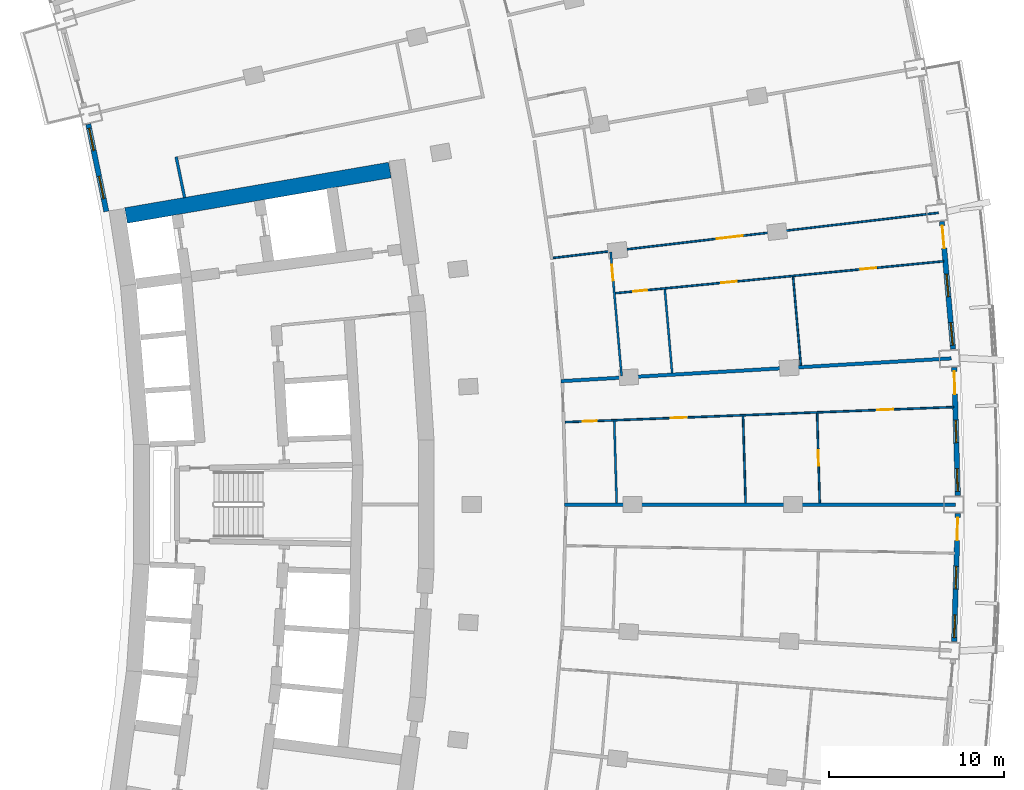
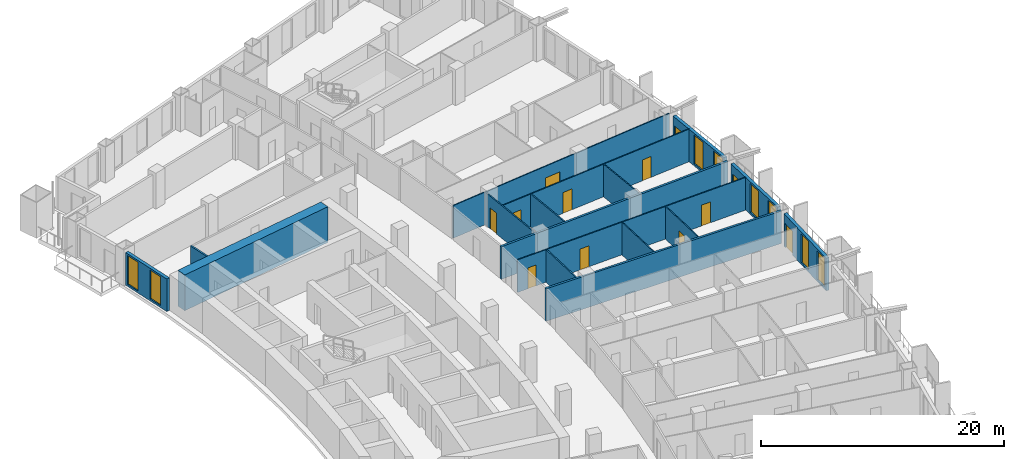
# One storey, part 18 of 25: 17 walls, 12 doors, 8 windows, 20 openings.
"""IFC4 building model written with IfcOpenShell, lengths in metres."""

from ifc_helpers import new_model, si_unit, direction, frame, frame_2d, origin, place, context, subcontext, project, spatial, rectangle, extrude, material, layer, layer_set, type_object, element, fill, save


model = new_model("IFC4")

# Units and contexts
model_context = context("Model", 3, precision=1e-05, world=origin(), true_north=direction((0.0, 1.0)))
body_context = subcontext(model_context, "Body", "Model", "MODEL_VIEW")
ifc_project = project(units=[si_unit("LENGTHUNIT", "METRE"), si_unit("AREAUNIT", "SQUARE_METRE"), si_unit("VOLUMEUNIT", "CUBIC_METRE"), si_unit("PLANEANGLEUNIT", "RADIAN"), si_unit("MASSUNIT", "GRAM", prefix="KILO")], contexts=[model_context])

# Site, building, storey
site_placement = place(None, origin())
site = spatial("IfcSite", under=ifc_project, at=site_placement, CompositionType="ELEMENT")
building_placement = place(site_placement, origin())
building = spatial("IfcBuilding", under=site, at=building_placement, Name="Alderwake Tower", CompositionType="ELEMENT")
storey_placement = place(building_placement, frame((0.0, 0.0, 35.60009765625)))
storey = spatial("IfcBuildingStorey", under=building, at=storey_placement, Name="L07", CompositionType="ELEMENT", Elevation=35.60009765625)

# Walls
ifc_material_1 = material(Name="Concrete C70/85", Category="concrete")
ifc_layer_1 = layer(ifc_material_1, 0.89990234375)
ifc_layer_set_1 = layer_set([ifc_layer_1], Name="Core wall outer 900 C70-85")
wall_type_1 = type_object("IfcWallType", Name="Core wall outer 900 C70-85", PredefinedType="SHEAR", material=ifc_layer_set_1)
wall_1_placement = place(storey_placement, frame((16.005615234375, 77.548828125, 0.0), z_axis=(0.0, 0.0, 1.0), x_axis=(0.985465815888, 0.169873852363, 0.0)))
element("IfcWall", 1, at=wall_1_placement, inside=storey, type_object=wall_type_1, Name="Core wall CW.053", PredefinedType="SHEAR", context=body_context, shape_type="SweptSolid", body=[
    extrude(rectangle(XDim=15.33056640625, YDim=0.89990234375, at=frame_2d((7.665283203125, 0.0))), origin(), (0.0, 0.0, 1.0), 3.599853515625),
])
ifc_material_2 = material(Name="Gypsum board on metal studs, rated")
ifc_layer_2 = layer(ifc_material_2, 0.159912109375)
ifc_layer_set_2 = layer_set([ifc_layer_2], Name="Corridor wall 160")
wall_type_2 = type_object("IfcWallType", Name="Corridor wall 160", PredefinedType="PARTITIONING", material=ifc_layer_set_2)
wall_2_placement = place(storey_placement, frame((18.874755859375, 80.910400390625, 0.0), z_axis=(0.0, 0.0, 1.0), x_axis=(0.202312089075, -0.979321100873, 0.0)))
element("IfcWall", 2, at=wall_2_placement, inside=storey, type_object=wall_type_2, Name="WL/L07/W18", PredefinedType="PARTITIONING", context=body_context, shape_type="SweptSolid", body=[
    extrude(rectangle(XDim=2.39306640625, YDim=0.159912109375, at=frame_2d((1.196533203125, 0.0))), origin(), (0.0, 0.0, 1.0), 3.27978515625),
])

# Wall, openings, door, windows
ifc_material_3 = material(Name="Precast concrete C50/60 spandrel panel", Category="concrete")
ifc_layer_3 = layer(ifc_material_3, 0.300048828125)
ifc_layer_set_3 = layer_set([ifc_layer_3], Name="External wall EW1 Precast concrete C50/60 spandrel")
wall_type_3 = type_object("IfcWallType", Name="External wall EW1 Precast concrete C50/60 spandrel", PredefinedType="SOLIDWALL", material=ifc_layer_set_3)
wall_3_placement = place(storey_placement, frame((63.4208984375, 53.1494140625, 0.0), z_axis=(0.0, 0.0, 1.0), x_axis=(0.029179784763, 0.999574179419, 0.0)))
wall_3 = element("IfcWall", 3, at=wall_3_placement, inside=storey, type_object=wall_type_3, Name="External wall 16", PredefinedType="SOLIDWALL", context=body_context, shape_type="SweptSolid", body=[
    extrude(rectangle(XDim=7.329345703125, YDim=0.300048828125, at=frame_2d((3.66455078125, 0.0))), origin(), (0.0, 0.0, 1.0), 3.27978515625),
])
opening_1_placement = place(wall_3_placement, frame((0.226806640625, 0.0, 0.199951171875)))
opening_1 = element("IfcOpeningElement", 4, at=opening_1_placement, cuts=wall_3, Name="Opening W1", PredefinedType="OPENING", context=body_context, shape_type="SweptSolid", body=[
    extrude(rectangle(XDim=1.300048828125, YDim=2.89990234375, at=frame_2d((0.64990234375, 1.449951171875))), frame((0.0, 0.159912109375, 0.0), z_axis=(0.0, -1.0, 0.0), x_axis=(1.0, 0.0, 0.0)), (0.0, 0.0, 1.0), 0.320068359375),
])
opening_2_placement = place(wall_3_placement, frame((3.0146484375, 0.0, 0.199951171875)))
opening_2 = element("IfcOpeningElement", 5, at=opening_2_placement, cuts=wall_3, Name="Opening W1", PredefinedType="OPENING", context=body_context, shape_type="SweptSolid", body=[
    extrude(rectangle(XDim=1.300048828125, YDim=2.89990234375, at=frame_2d((0.64990234375, 1.449951171875))), frame((0.0, 0.159912109375, 0.0), z_axis=(0.0, -1.0, 0.0), x_axis=(1.0, 0.0, 0.0)), (0.0, 0.0, 1.0), 0.320068359375),
])
opening_3_placement = place(wall_3_placement, frame((5.802490234375, 0.0, 0.0)))
opening_3 = element("IfcOpeningElement", 6, at=opening_3_placement, cuts=wall_3, Name="Opening D07", PredefinedType="OPENING", context=body_context, shape_type="SweptSolid", body=[
    extrude(rectangle(XDim=1.300048828125, YDim=2.39990234375, at=frame_2d((0.64990234375, 1.199951171875))), frame((0.0, 0.159912109375, 0.0), z_axis=(0.0, -1.0, 0.0), x_axis=(1.0, 0.0, 0.0)), (0.0, 0.0, 1.0), 0.320068359375),
])
ifc_material_4 = material(Name="Bronze tinted glass in aluminium frame", Category="aluminium")
door_type_1 = type_object("IfcDoorType", Name="Balcony door BD sliding", OperationType="SLIDING_TO_LEFT", PredefinedType="DOOR", material=ifc_material_4)
door_1_placement = place(opening_3_placement, origin())
door_1 = element("IfcDoor", 7, at=door_1_placement, inside=storey, type_object=door_type_1, Name="Door D07", OperationType="SLIDING_TO_LEFT", OverallHeight=2.39990234375, OverallWidth=1.300048828125, PredefinedType="DOOR", context=body_context, shape_type="SweptSolid", body=[
    extrude(rectangle(XDim=1.300048828125, YDim=2.39990234375, at=frame_2d((0.64990234375, 1.199951171875))), frame((0.0, 0.02490234375, 0.0), z_axis=(0.0, -1.0, 0.0), x_axis=(1.0, 0.0, 0.0)), (0.0, 0.0, 1.0), 0.050048828125),
])
fill(opening_3, door_1)
ifc_material_5 = material(Name="Bronze tinted glass in aluminium frame", Category="aluminium")
window_type = type_object("IfcWindowType", Name="Window W1 tall fixed and vent", PartitioningType="DOUBLE_PANEL_VERTICAL", PredefinedType="WINDOW", material=ifc_material_5)
window_1_placement = place(opening_1_placement, origin())
window_1 = element("IfcWindow", 8, at=window_1_placement, inside=storey, type_object=window_type, Name="Window W1 tall fixed and vent", OverallHeight=2.89990234375, OverallWidth=1.300048828125, PartitioningType="DOUBLE_PANEL_VERTICAL", PredefinedType="WINDOW", context=body_context, shape_type="SweptSolid", body=[
    extrude(rectangle(XDim=1.300048828125, YDim=2.89990234375, at=frame_2d((0.64990234375, 1.449951171875))), frame((0.0, 0.030029296875, 0.0), z_axis=(0.0, -1.0, 0.0), x_axis=(1.0, 0.0, 0.0)), (0.0, 0.0, 1.0), 0.06005859375),
])
fill(opening_1, window_1)
window_2_placement = place(opening_2_placement, origin())
window_2 = element("IfcWindow", 9, at=window_2_placement, inside=storey, type_object=window_type, Name="Window W1 tall fixed and vent", OverallHeight=2.89990234375, OverallWidth=1.300048828125, PartitioningType="DOUBLE_PANEL_VERTICAL", PredefinedType="WINDOW", context=body_context, shape_type="SweptSolid", body=[
    extrude(rectangle(XDim=1.300048828125, YDim=2.89990234375, at=frame_2d((0.64990234375, 1.449951171875))), frame((0.0, 0.030029296875, 0.0), z_axis=(0.0, -1.0, 0.0), x_axis=(1.0, 0.0, 0.0)), (0.0, 0.0, 1.0), 0.06005859375),
])
fill(opening_2, window_2)

wall_4_placement = place(storey_placement, frame((63.634765625, 61.5244140625, 0.0), z_axis=(0.0, 0.0, 1.0), x_axis=(-0.029179784763, 0.999574179419, 0.0)))
wall_4 = element("IfcWall", 10, at=wall_4_placement, inside=storey, type_object=wall_type_3, Name="External wall 17", PredefinedType="SOLIDWALL", context=body_context, shape_type="SweptSolid", body=[
    extrude(rectangle(XDim=7.329345703125, YDim=0.300048828125, at=frame_2d((3.66455078125, 0.0))), origin(), (0.0, 0.0, 1.0), 3.27978515625),
])
opening_4_placement = place(wall_4_placement, frame((0.226806640625, 0.0, 0.199951171875)))
opening_4 = element("IfcOpeningElement", 11, at=opening_4_placement, cuts=wall_4, Name="Opening W1", PredefinedType="OPENING", context=body_context, shape_type="SweptSolid", body=[
    extrude(rectangle(XDim=1.300048828125, YDim=2.89990234375, at=frame_2d((0.64990234375, 1.449951171875))), frame((0.0, 0.159912109375, 0.0), z_axis=(0.0, -1.0, 0.0), x_axis=(1.0, 0.0, 0.0)), (0.0, 0.0, 1.0), 0.320068359375),
])
opening_5_placement = place(wall_4_placement, frame((3.0146484375, 0.0, 0.199951171875)))
opening_5 = element("IfcOpeningElement", 12, at=opening_5_placement, cuts=wall_4, Name="Opening W1", PredefinedType="OPENING", context=body_context, shape_type="SweptSolid", body=[
    extrude(rectangle(XDim=1.300048828125, YDim=2.89990234375, at=frame_2d((0.64990234375, 1.449951171875))), frame((0.0, 0.159912109375, 0.0), z_axis=(0.0, -1.0, 0.0), x_axis=(1.0, 0.0, 0.0)), (0.0, 0.0, 1.0), 0.320068359375),
])
opening_6_placement = place(wall_4_placement, frame((5.802490234375, 0.0, 0.0)))
opening_6 = element("IfcOpeningElement", 13, at=opening_6_placement, cuts=wall_4, Name="Opening D08", PredefinedType="OPENING", context=body_context, shape_type="SweptSolid", body=[
    extrude(rectangle(XDim=1.300048828125, YDim=2.39990234375, at=frame_2d((0.64990234375, 1.199951171875))), frame((0.0, 0.159912109375, 0.0), z_axis=(0.0, -1.0, 0.0), x_axis=(1.0, 0.0, 0.0)), (0.0, 0.0, 1.0), 0.320068359375),
])
door_2_placement = place(opening_6_placement, origin())
door_2 = element("IfcDoor", 14, at=door_2_placement, inside=storey, type_object=door_type_1, Name="Door D08", OperationType="SLIDING_TO_LEFT", OverallHeight=2.39990234375, OverallWidth=1.300048828125, PredefinedType="DOOR", context=body_context, shape_type="SweptSolid", body=[
    extrude(rectangle(XDim=1.300048828125, YDim=2.39990234375, at=frame_2d((0.64990234375, 1.199951171875))), frame((0.0, 0.02490234375, 0.0), z_axis=(0.0, -1.0, 0.0), x_axis=(1.0, 0.0, 0.0)), (0.0, 0.0, 1.0), 0.050048828125),
])
fill(opening_6, door_2)
window_3_placement = place(opening_4_placement, origin())
window_3 = element("IfcWindow", 15, at=window_3_placement, inside=storey, type_object=window_type, Name="Window W1 tall fixed and vent", OverallHeight=2.89990234375, OverallWidth=1.300048828125, PartitioningType="DOUBLE_PANEL_VERTICAL", PredefinedType="WINDOW", context=body_context, shape_type="SweptSolid", body=[
    extrude(rectangle(XDim=1.300048828125, YDim=2.89990234375, at=frame_2d((0.64990234375, 1.449951171875))), frame((0.0, 0.030029296875, 0.0), z_axis=(0.0, -1.0, 0.0), x_axis=(1.0, 0.0, 0.0)), (0.0, 0.0, 1.0), 0.06005859375),
])
fill(opening_4, window_3)
window_4_placement = place(opening_5_placement, origin())
window_4 = element("IfcWindow", 16, at=window_4_placement, inside=storey, type_object=window_type, Name="Window W1 tall fixed and vent", OverallHeight=2.89990234375, OverallWidth=1.300048828125, PartitioningType="DOUBLE_PANEL_VERTICAL", PredefinedType="WINDOW", context=body_context, shape_type="SweptSolid", body=[
    extrude(rectangle(XDim=1.300048828125, YDim=2.89990234375, at=frame_2d((0.64990234375, 1.449951171875))), frame((0.0, 0.030029296875, 0.0), z_axis=(0.0, -1.0, 0.0), x_axis=(1.0, 0.0, 0.0)), (0.0, 0.0, 1.0), 0.06005859375),
])
fill(opening_5, window_4)

wall_5_placement = place(storey_placement, frame((63.35986328125, 69.8974609375, 0.0), z_axis=(0.0, 0.0, 1.0), x_axis=(-0.08740868533, 0.996172536125, 0.0)))
wall_5 = element("IfcWall", 17, at=wall_5_placement, inside=storey, type_object=wall_type_3, Name="External wall 18", PredefinedType="SOLIDWALL", context=body_context, shape_type="SweptSolid", body=[
    extrude(rectangle(XDim=7.3291015625, YDim=0.300048828125, at=frame_2d((3.66455078125, 0.0))), origin(), (0.0, 0.0, 1.0), 3.27978515625),
])
opening_7_placement = place(wall_5_placement, frame((0.226806640625, 0.0, 0.199951171875)))
opening_7 = element("IfcOpeningElement", 18, at=opening_7_placement, cuts=wall_5, Name="Opening W1", PredefinedType="OPENING", context=body_context, shape_type="SweptSolid", body=[
    extrude(rectangle(XDim=1.300048828125, YDim=2.89990234375, at=frame_2d((0.64990234375, 1.449951171875))), frame((0.0, 0.159912109375, 0.0), z_axis=(0.0, -1.0, 0.0), x_axis=(1.0, 0.0, 0.0)), (0.0, 0.0, 1.0), 0.320068359375),
])
opening_8_placement = place(wall_5_placement, frame((3.0146484375, 0.0, 0.199951171875)))
opening_8 = element("IfcOpeningElement", 19, at=opening_8_placement, cuts=wall_5, Name="Opening W1", PredefinedType="OPENING", context=body_context, shape_type="SweptSolid", body=[
    extrude(rectangle(XDim=1.300048828125, YDim=2.89990234375, at=frame_2d((0.64990234375, 1.449951171875))), frame((0.0, 0.159912109375, 0.0), z_axis=(0.0, -1.0, 0.0), x_axis=(1.0, 0.0, 0.0)), (0.0, 0.0, 1.0), 0.320068359375),
])
opening_9_placement = place(wall_5_placement, frame((5.802490234375, 0.0, 0.0)))
opening_9 = element("IfcOpeningElement", 20, at=opening_9_placement, cuts=wall_5, Name="Opening D09", PredefinedType="OPENING", context=body_context, shape_type="SweptSolid", body=[
    extrude(rectangle(XDim=1.300048828125, YDim=2.39990234375, at=frame_2d((0.64990234375, 1.199951171875))), frame((0.0, 0.159912109375, 0.0), z_axis=(0.0, -1.0, 0.0), x_axis=(1.0, 0.0, 0.0)), (0.0, 0.0, 1.0), 0.320068359375),
])
door_3_placement = place(opening_9_placement, origin())
door_3 = element("IfcDoor", 21, at=door_3_placement, inside=storey, type_object=door_type_1, Name="Door D09", OperationType="SLIDING_TO_LEFT", OverallHeight=2.39990234375, OverallWidth=1.300048828125, PredefinedType="DOOR", context=body_context, shape_type="SweptSolid", body=[
    extrude(rectangle(XDim=1.300048828125, YDim=2.39990234375, at=frame_2d((0.64990234375, 1.199951171875))), frame((0.0, 0.02490234375, 0.0), z_axis=(0.0, -1.0, 0.0), x_axis=(1.0, 0.0, 0.0)), (0.0, 0.0, 1.0), 0.050048828125),
])
fill(opening_9, door_3)
window_5_placement = place(opening_7_placement, origin())
window_5 = element("IfcWindow", 22, at=window_5_placement, inside=storey, type_object=window_type, Name="Window W1 tall fixed and vent", OverallHeight=2.89990234375, OverallWidth=1.300048828125, PartitioningType="DOUBLE_PANEL_VERTICAL", PredefinedType="WINDOW", context=body_context, shape_type="SweptSolid", body=[
    extrude(rectangle(XDim=1.300048828125, YDim=2.89990234375, at=frame_2d((0.64990234375, 1.449951171875))), frame((0.0, 0.030029296875, 0.0), z_axis=(0.0, -1.0, 0.0), x_axis=(1.0, 0.0, 0.0)), (0.0, 0.0, 1.0), 0.06005859375),
])
fill(opening_7, window_5)
window_6_placement = place(opening_8_placement, origin())
window_6 = element("IfcWindow", 23, at=window_6_placement, inside=storey, type_object=window_type, Name="Window W1 tall fixed and vent", OverallHeight=2.89990234375, OverallWidth=1.300048828125, PartitioningType="DOUBLE_PANEL_VERTICAL", PredefinedType="WINDOW", context=body_context, shape_type="SweptSolid", body=[
    extrude(rectangle(XDim=1.300048828125, YDim=2.89990234375, at=frame_2d((0.64990234375, 1.449951171875))), frame((0.0, 0.030029296875, 0.0), z_axis=(0.0, -1.0, 0.0), x_axis=(1.0, 0.0, 0.0)), (0.0, 0.0, 1.0), 0.06005859375),
])
fill(opening_8, window_6)

# Wall, openings, windows
wall_6_placement = place(storey_placement, frame((13.842529296875, 82.77880859375, 0.0), z_axis=(0.0, 0.0, 1.0), x_axis=(0.202738354746, -0.979232944459, 0.0)))
wall_6 = element("IfcWall", 24, at=wall_6_placement, inside=storey, type_object=wall_type_3, Name="External wall 34", PredefinedType="SOLIDWALL", context=body_context, shape_type="SweptSolid", body=[
    extrude(rectangle(XDim=5.1083984375, YDim=0.300048828125, at=frame_2d((2.55419921875, 0.0))), origin(), (0.0, 0.0, 1.0), 3.27978515625),
])
opening_10_placement = place(wall_6_placement, frame((0.239013671875, 0.0, 0.199951171875)))
opening_10 = element("IfcOpeningElement", 25, at=opening_10_placement, cuts=wall_6, Name="Opening W1", PredefinedType="OPENING", context=body_context, shape_type="SweptSolid", body=[
    extrude(rectangle(XDim=1.300048828125, YDim=2.89990234375, at=frame_2d((0.64990234375, 1.449951171875))), frame((0.0, 0.159912109375, 0.0), z_axis=(0.0, -1.0, 0.0), x_axis=(1.0, 0.0, 0.0)), (0.0, 0.0, 1.0), 0.320068359375),
])
opening_11_placement = place(wall_6_placement, frame((3.0517578125, 0.0, 0.199951171875)))
opening_11 = element("IfcOpeningElement", 26, at=opening_11_placement, cuts=wall_6, Name="Opening W1", PredefinedType="OPENING", context=body_context, shape_type="SweptSolid", body=[
    extrude(rectangle(XDim=1.300048828125, YDim=2.89990234375, at=frame_2d((0.64990234375, 1.449951171875))), frame((0.0, 0.159912109375, 0.0), z_axis=(0.0, -1.0, 0.0), x_axis=(1.0, 0.0, 0.0)), (0.0, 0.0, 1.0), 0.320068359375),
])
window_7_placement = place(opening_10_placement, origin())
window_7 = element("IfcWindow", 27, at=window_7_placement, inside=storey, type_object=window_type, Name="Window W1 tall fixed and vent", OverallHeight=2.89990234375, OverallWidth=1.300048828125, PartitioningType="DOUBLE_PANEL_VERTICAL", PredefinedType="WINDOW", context=body_context, shape_type="SweptSolid", body=[
    extrude(rectangle(XDim=1.300048828125, YDim=2.89990234375, at=frame_2d((0.64990234375, 1.449951171875))), frame((0.0, 0.030029296875, 0.0), z_axis=(0.0, -1.0, 0.0), x_axis=(1.0, 0.0, 0.0)), (0.0, 0.0, 1.0), 0.06005859375),
])
fill(opening_10, window_7)
window_8_placement = place(opening_11_placement, origin())
window_8 = element("IfcWindow", 28, at=window_8_placement, inside=storey, type_object=window_type, Name="Window W1 tall fixed and vent", OverallHeight=2.89990234375, OverallWidth=1.300048828125, PartitioningType="DOUBLE_PANEL_VERTICAL", PredefinedType="WINDOW", context=body_context, shape_type="SweptSolid", body=[
    extrude(rectangle(XDim=1.300048828125, YDim=2.89990234375, at=frame_2d((0.64990234375, 1.449951171875))), frame((0.0, 0.030029296875, 0.0), z_axis=(0.0, -1.0, 0.0), x_axis=(1.0, 0.0, 0.0)), (0.0, 0.0, 1.0), 0.06005859375),
])
fill(opening_11, window_8)

# Walls
ifc_material_6 = material(Name="Dense block masonry wall", Category="masonry")
ifc_layer_4 = layer(ifc_material_6, 0.199951171875)
ifc_layer_set_4 = layer_set([ifc_layer_4], Name="Party wall 200")
wall_type_4 = type_object("IfcWallType", Name="Party wall 200", PredefinedType="SOLIDWALL", material=ifc_layer_set_4)
wall_7_placement = place(storey_placement, frame((63.2548828125, 69.365966796875, 0.0), z_axis=(0.0, 0.0, 1.0), x_axis=(-0.998301502975, -0.058258983497, 0.0)))
element("IfcWall", 29, at=wall_7_placement, inside=storey, type_object=wall_type_4, Name="WL/L07/W10", PredefinedType="SOLIDWALL", context=body_context, shape_type="SweptSolid", body=[
    extrude(rectangle(XDim=22.3779296875, YDim=0.199951171875, at=frame_2d((11.18896484375, 0.0))), origin(), (0.0, 0.0, 1.0), 3.27978515625),
])
wall_8_placement = place(storey_placement, frame((63.5009765625, 60.9990234375, 0.0), z_axis=(0.0, 0.0, 1.0), x_axis=(-1.0, 0.0, 0.0)))
element("IfcWall", 30, at=wall_8_placement, inside=storey, type_object=wall_type_4, Name="WL/L07/W11", PredefinedType="SOLIDWALL", context=body_context, shape_type="SweptSolid", body=[
    extrude(rectangle(XDim=22.382080078125, YDim=0.199951171875, at=frame_2d((11.19091796875, 0.0))), origin(), (0.0, 0.0, 1.0), 3.27978515625),
])

# Wall, opening, door
ifc_material_7 = material(Name="Gypsum board on metal studs")
ifc_layer_5 = layer(ifc_material_7, 0.10009765625)
ifc_layer_set_5 = layer_set([ifc_layer_5], Name="Unit partition 100")
wall_type_5 = type_object("IfcWallType", Name="Unit partition 100", PredefinedType="PARTITIONING", material=ifc_layer_set_5)
wall_9_placement = place(storey_placement, frame((40.45654296875, 75.1171875, 0.0), z_axis=(0.0, 0.0, 1.0), x_axis=(0.993204578948, 0.116381546464, 0.0)))
wall_9 = element("IfcWall", 31, at=wall_9_placement, inside=storey, type_object=wall_type_5, Name="WL/L07/W69", PredefinedType="PARTITIONING", context=body_context, shape_type="SweptSolid", body=[
    extrude(rectangle(XDim=22.21728515625, YDim=0.10009765625, at=frame_2d((11.108642578125, 0.0))), origin(), (0.0, 0.0, 1.0), 3.27978515625),
])
opening_12_placement = place(wall_9_placement, frame((9.4443359375, 0.0, 0.0)))
opening_12 = element("IfcOpeningElement", 32, at=opening_12_placement, cuts=wall_9, Name="Opening R01-U09.10", PredefinedType="OPENING", context=body_context, shape_type="SweptSolid", body=[
    extrude(rectangle(XDim=1.5, YDim=2.10009765625, at=frame_2d((0.75, 1.050048828125))), frame((0.0, 0.06005859375, 0.0), z_axis=(0.0, -1.0, 0.0), x_axis=(1.0, 0.0, 0.0)), (0.0, 0.0, 1.0), 0.1201171875),
])
ifc_material_8 = material(Name="Painted timber leaves", Category="wood")
door_type_2 = type_object("IfcDoorType", Name="Double leaf door 1500", OperationType="DOUBLE_DOOR_SINGLE_SWING", PredefinedType="DOOR", material=ifc_material_8)
door_4_placement = place(opening_12_placement, origin())
door_4 = element("IfcDoor", 33, at=door_4_placement, inside=storey, type_object=door_type_2, Name="DR/L07/U09.10", OperationType="DOUBLE_DOOR_SINGLE_SWING", OverallHeight=2.10009765625, OverallWidth=1.5, PredefinedType="DOOR", context=body_context, shape_type="SweptSolid", body=[
    extrude(rectangle(XDim=1.5, YDim=2.10009765625, at=frame_2d((0.75, 1.050048828125))), frame((0.0, 0.02490234375, 0.0), z_axis=(0.0, -1.0, 0.0), x_axis=(1.0, 0.0, 0.0)), (0.0, 0.0, 1.0), 0.050048828125),
])
fill(opening_12, door_4)

# Wall, openings, doors
wall_10_placement = place(storey_placement, frame((63.386962890625, 66.5791015625, 0.0), z_axis=(0.0, 0.0, 1.0), x_axis=(-0.999246424142, -0.0388147374, 0.0)))
wall_10 = element("IfcWall", 34, at=wall_10_placement, inside=storey, type_object=wall_type_5, Name="WL/L07/W71", PredefinedType="PARTITIONING", context=body_context, shape_type="SweptSolid", body=[
    extrude(rectangle(XDim=22.260009765625, YDim=0.10009765625, at=frame_2d((11.1298828125, 0.0))), origin(), (0.0, 0.0, 1.0), 3.27978515625),
])
opening_13_placement = place(wall_10_placement, frame((15.30224609375, 0.0, 0.0)))
opening_13 = element("IfcOpeningElement", 35, at=opening_13_placement, cuts=wall_10, Name="Opening R01-U08.1", PredefinedType="OPENING", context=body_context, shape_type="SweptSolid", body=[
    extrude(rectangle(XDim=0.89990234375, YDim=2.10009765625, at=frame_2d((0.449951171875, 1.050048828125))), frame((0.0, 0.06005859375, 0.0), z_axis=(0.0, -1.0, 0.0), x_axis=(1.0, 0.0, 0.0)), (0.0, 0.0, 1.0), 0.1201171875),
])
opening_14_placement = place(wall_10_placement, frame((20.451171875, 0.0, 0.0)))
opening_14 = element("IfcOpeningElement", 36, at=opening_14_placement, cuts=wall_10, Name="Opening R01-U08.4", PredefinedType="OPENING", context=body_context, shape_type="SweptSolid", body=[
    extrude(rectangle(XDim=0.800048828125, YDim=2.10009765625, at=frame_2d((0.39990234375, 1.050048828125))), frame((0.0, 0.06005859375, 0.0), z_axis=(0.0, -1.0, 0.0), x_axis=(1.0, 0.0, 0.0)), (0.0, 0.0, 1.0), 0.1201171875),
])
opening_15_placement = place(wall_10_placement, frame((3.459228515625, 0.0, 0.0)))
opening_15 = element("IfcOpeningElement", 37, at=opening_15_placement, cuts=wall_10, Name="Opening R01-U08.5", PredefinedType="OPENING", context=body_context, shape_type="SweptSolid", body=[
    extrude(rectangle(XDim=0.89990234375, YDim=2.10009765625, at=frame_2d((0.449951171875, 1.050048828125))), frame((0.0, 0.06005859375, 0.0), z_axis=(0.0, -1.0, 0.0), x_axis=(1.0, 0.0, 0.0)), (0.0, 0.0, 1.0), 0.1201171875),
])
ifc_material_9 = material(Name="Painted timber leaf", Category="wood")
door_type_3 = type_object("IfcDoorType", Name="Bathroom door 800", OperationType="SINGLE_SWING_LEFT", PredefinedType="DOOR", material=ifc_material_9)
door_5_placement = place(opening_14_placement, origin())
door_5 = element("IfcDoor", 38, at=door_5_placement, inside=storey, type_object=door_type_3, Name="DR/L07/U08.4", OperationType="SINGLE_SWING_LEFT", OverallHeight=2.10009765625, OverallWidth=0.800048828125, PredefinedType="DOOR", context=body_context, shape_type="SweptSolid", body=[
    extrude(rectangle(XDim=0.800048828125, YDim=2.10009765625, at=frame_2d((0.39990234375, 1.050048828125))), frame((0.0, 0.02490234375, 0.0), z_axis=(0.0, -1.0, 0.0), x_axis=(1.0, 0.0, 0.0)), (0.0, 0.0, 1.0), 0.050048828125),
])
fill(opening_14, door_5)
ifc_material_10 = material(Name="Painted timber leaf", Category="wood")
door_type_4 = type_object("IfcDoorType", Name="Room door 900", OperationType="SINGLE_SWING_LEFT", PredefinedType="DOOR", material=ifc_material_10)
door_6_placement = place(opening_13_placement, origin())
door_6 = element("IfcDoor", 39, at=door_6_placement, inside=storey, type_object=door_type_4, Name="DR/L07/U08.1", OperationType="SINGLE_SWING_LEFT", OverallHeight=2.10009765625, OverallWidth=0.89990234375, PredefinedType="DOOR", context=body_context, shape_type="SweptSolid", body=[
    extrude(rectangle(XDim=0.89990234375, YDim=2.10009765625, at=frame_2d((0.449951171875, 1.050048828125))), frame((0.0, 0.02490234375, 0.0), z_axis=(0.0, -1.0, 0.0), x_axis=(1.0, 0.0, 0.0)), (0.0, 0.0, 1.0), 0.050048828125),
])
fill(opening_13, door_6)
door_7_placement = place(opening_15_placement, origin())
door_7 = element("IfcDoor", 40, at=door_7_placement, inside=storey, type_object=door_type_4, Name="DR/L07/U08.5", OperationType="SINGLE_SWING_LEFT", OverallHeight=2.10009765625, OverallWidth=0.89990234375, PredefinedType="DOOR", context=body_context, shape_type="SweptSolid", body=[
    extrude(rectangle(XDim=0.89990234375, YDim=2.10009765625, at=frame_2d((0.449951171875, 1.050048828125))), frame((0.0, 0.02490234375, 0.0), z_axis=(0.0, -1.0, 0.0), x_axis=(1.0, 0.0, 0.0)), (0.0, 0.0, 1.0), 0.050048828125),
])
fill(opening_15, door_7)

wall_11_placement = place(storey_placement, frame((62.820068359375, 74.927978515625, 0.0), z_axis=(0.0, 0.0, 1.0), x_axis=(-0.995293143485, -0.096910053822, 0.0)))
wall_11 = element("IfcWall", 41, at=wall_11_placement, inside=storey, type_object=wall_type_5, Name="WL/L07/W73", PredefinedType="PARTITIONING", context=body_context, shape_type="SweptSolid", body=[
    extrude(rectangle(XDim=18.88427734375, YDim=0.10009765625, at=frame_2d((9.442138671875, 0.0))), origin(), (0.0, 0.0, 1.0), 3.27978515625),
])
opening_16_placement = place(wall_11_placement, frame((11.905517578125, 0.0, 0.0)))
opening_16 = element("IfcOpeningElement", 42, at=opening_16_placement, cuts=wall_11, Name="Opening R01-U09.1", PredefinedType="OPENING", context=body_context, shape_type="SweptSolid", body=[
    extrude(rectangle(XDim=0.89990234375, YDim=2.10009765625, at=frame_2d((0.449951171875, 1.050048828125))), frame((0.0, 0.06005859375, 0.0), z_axis=(0.0, -1.0, 0.0), x_axis=(1.0, 0.0, 0.0)), (0.0, 0.0, 1.0), 0.1201171875),
])
opening_17_placement = place(wall_11_placement, frame((17.06494140625, 0.0, 0.0)))
opening_17 = element("IfcOpeningElement", 43, at=opening_17_placement, cuts=wall_11, Name="Opening R01-U09.4", PredefinedType="OPENING", context=body_context, shape_type="SweptSolid", body=[
    extrude(rectangle(XDim=0.800048828125, YDim=2.10009765625, at=frame_2d((0.39990234375, 1.050048828125))), frame((0.0, 0.06005859375, 0.0), z_axis=(0.0, -1.0, 0.0), x_axis=(1.0, 0.0, 0.0)), (0.0, 0.0, 1.0), 0.1201171875),
])
opening_18_placement = place(wall_11_placement, frame((3.88330078125, 0.0, 0.0)))
opening_18 = element("IfcOpeningElement", 44, at=opening_18_placement, cuts=wall_11, Name="Opening R01-U09.5", PredefinedType="OPENING", context=body_context, shape_type="SweptSolid", body=[
    extrude(rectangle(XDim=0.89990234375, YDim=2.10009765625, at=frame_2d((0.449951171875, 1.050048828125))), frame((0.0, 0.06005859375, 0.0), z_axis=(0.0, -1.0, 0.0), x_axis=(1.0, 0.0, 0.0)), (0.0, 0.0, 1.0), 0.1201171875),
])
door_8_placement = place(opening_17_placement, origin())
door_8 = element("IfcDoor", 45, at=door_8_placement, inside=storey, type_object=door_type_3, Name="DR/L07/U09.4", OperationType="SINGLE_SWING_LEFT", OverallHeight=2.10009765625, OverallWidth=0.800048828125, PredefinedType="DOOR", context=body_context, shape_type="SweptSolid", body=[
    extrude(rectangle(XDim=0.800048828125, YDim=2.10009765625, at=frame_2d((0.39990234375, 1.050048828125))), frame((0.0, 0.02490234375, 0.0), z_axis=(0.0, -1.0, 0.0), x_axis=(1.0, 0.0, 0.0)), (0.0, 0.0, 1.0), 0.050048828125),
])
fill(opening_17, door_8)
door_9_placement = place(opening_16_placement, origin())
door_9 = element("IfcDoor", 46, at=door_9_placement, inside=storey, type_object=door_type_4, Name="DR/L07/U09.1", OperationType="SINGLE_SWING_LEFT", OverallHeight=2.10009765625, OverallWidth=0.89990234375, PredefinedType="DOOR", context=body_context, shape_type="SweptSolid", body=[
    extrude(rectangle(XDim=0.89990234375, YDim=2.10009765625, at=frame_2d((0.449951171875, 1.050048828125))), frame((0.0, 0.02490234375, 0.0), z_axis=(0.0, -1.0, 0.0), x_axis=(1.0, 0.0, 0.0)), (0.0, 0.0, 1.0), 0.050048828125),
])
fill(opening_16, door_9)
door_10_placement = place(opening_18_placement, origin())
door_10 = element("IfcDoor", 47, at=door_10_placement, inside=storey, type_object=door_type_4, Name="DR/L07/U09.5", OperationType="SINGLE_SWING_LEFT", OverallHeight=2.10009765625, OverallWidth=0.89990234375, PredefinedType="DOOR", context=body_context, shape_type="SweptSolid", body=[
    extrude(rectangle(XDim=0.89990234375, YDim=2.10009765625, at=frame_2d((0.449951171875, 1.050048828125))), frame((0.0, 0.02490234375, 0.0), z_axis=(0.0, -1.0, 0.0), x_axis=(1.0, 0.0, 0.0)), (0.0, 0.0, 1.0), 0.050048828125),
])
fill(opening_18, door_10)

# Walls
wall_12_placement = place(storey_placement, frame((51.47998046875, 61.09912109375, 0.0), z_axis=(0.0, 0.0, 1.0), x_axis=(-0.029312335146, 0.999570301184, 0.0)))
element("IfcWall", 48, at=wall_12_placement, inside=storey, type_object=wall_type_5, Name="WL/L07/W83", PredefinedType="PARTITIONING", context=body_context, shape_type="SweptSolid", body=[
    extrude(rectangle(XDim=4.964111328125, YDim=0.10009765625, at=frame_2d((2.48193359375, 0.0))), origin(), (0.0, 0.0, 1.0), 3.27978515625),
])
wall_13_placement = place(storey_placement, frame((54.645263671875, 68.964599609375, 0.0), z_axis=(0.0, 0.0, 1.0), x_axis=(-0.087531464567, 0.996161755294, 0.0)))
element("IfcWall", 49, at=wall_13_placement, inside=storey, type_object=wall_type_5, Name="WL/L07/W87", PredefinedType="PARTITIONING", context=body_context, shape_type="SweptSolid", body=[
    extrude(rectangle(XDim=5.093017578125, YDim=0.10009765625, at=frame_2d((2.54638671875, 0.0))), origin(), (0.0, 0.0, 1.0), 3.27978515625),
])

# Wall, opening, door
wall_14_placement = place(storey_placement, frame((55.72509765625, 61.09912109375, 0.0), z_axis=(0.0, 0.0, 1.0), x_axis=(-0.028987813186, 0.999579765045, 0.0)))
wall_14 = element("IfcWall", 50, at=wall_14_placement, inside=storey, type_object=wall_type_5, Name="WL/L07/W90", PredefinedType="PARTITIONING", context=body_context, shape_type="SweptSolid", body=[
    extrude(rectangle(XDim=5.129150390625, YDim=0.10009765625, at=frame_2d((2.564453125, 0.0))), origin(), (0.0, 0.0, 1.0), 3.27978515625),
])
opening_19_placement = place(wall_14_placement, frame((2.114501953125, 0.0, 0.0)))
opening_19 = element("IfcOpeningElement", 51, at=opening_19_placement, cuts=wall_14, Name="Opening R01-U08.2", PredefinedType="OPENING", context=body_context, shape_type="SweptSolid", body=[
    extrude(rectangle(XDim=0.89990234375, YDim=2.10009765625, at=frame_2d((0.449951171875, 1.050048828125))), frame((0.0, 0.06005859375, 0.0), z_axis=(0.0, -1.0, 0.0), x_axis=(1.0, 0.0, 0.0)), (0.0, 0.0, 1.0), 0.1201171875),
])
door_11_placement = place(opening_19_placement, origin())
door_11 = element("IfcDoor", 52, at=door_11_placement, inside=storey, type_object=door_type_4, Name="DR/L07/U08.2", OperationType="SINGLE_SWING_LEFT", OverallHeight=2.10009765625, OverallWidth=0.89990234375, PredefinedType="DOOR", context=body_context, shape_type="SweptSolid", body=[
    extrude(rectangle(XDim=0.89990234375, YDim=2.10009765625, at=frame_2d((0.449951171875, 1.050048828125))), frame((0.0, 0.02490234375, 0.0), z_axis=(0.0, -1.0, 0.0), x_axis=(1.0, 0.0, 0.0)), (0.0, 0.0, 1.0), 0.050048828125),
])
fill(opening_19, door_11)

ifc_material_11 = material(Name="Moisture resistant gypsum board on metal studs")
ifc_layer_6 = layer(ifc_material_11, 0.1201171875)
ifc_layer_set_6 = layer_set([ifc_layer_6], Name="Wet room partition 120")
wall_type_6 = type_object("IfcWallType", Name="Wet room partition 120", PredefinedType="PARTITIONING", material=ifc_layer_set_6)
wall_15_placement = place(storey_placement, frame((43.75634765625, 75.4541015625, 0.0), z_axis=(0.0, 0.0, 1.0), x_axis=(0.087513351383, -0.996163346711, 0.0)))
wall_15 = element("IfcWall", 53, at=wall_15_placement, inside=storey, type_object=wall_type_6, Name="WL/L07/W60", PredefinedType="PARTITIONING", context=body_context, shape_type="SweptSolid", body=[
    extrude(rectangle(XDim=7.11669921875, YDim=0.1201171875, at=frame_2d((3.558349609375, 0.0))), origin(), (0.0, 0.0, 1.0), 3.27978515625),
])
opening_20_placement = place(wall_15_placement, frame((0.736328125, 0.0, 0.0)))
opening_20 = element("IfcOpeningElement", 54, at=opening_20_placement, cuts=wall_15, Name="Opening R01-U09.3", PredefinedType="OPENING", context=body_context, shape_type="SweptSolid", body=[
    extrude(rectangle(XDim=0.89990234375, YDim=2.10009765625, at=frame_2d((0.449951171875, 1.050048828125))), frame((0.0, 0.070068359375, 0.0), z_axis=(0.0, -1.0, 0.0), x_axis=(1.0, 0.0, 0.0)), (0.0, 0.0, 1.0), 0.14013671875),
])
door_12_placement = place(opening_20_placement, origin())
door_12 = element("IfcDoor", 55, at=door_12_placement, inside=storey, type_object=door_type_4, Name="DR/L07/U09.3", OperationType="SINGLE_SWING_LEFT", OverallHeight=2.10009765625, OverallWidth=0.89990234375, PredefinedType="DOOR", context=body_context, shape_type="SweptSolid", body=[
    extrude(rectangle(XDim=0.89990234375, YDim=2.10009765625, at=frame_2d((0.449951171875, 1.050048828125))), frame((0.0, 0.02490234375, 0.0), z_axis=(0.0, -1.0, 0.0), x_axis=(1.0, 0.0, 0.0)), (0.0, 0.0, 1.0), 0.050048828125),
])
fill(opening_20, door_12)

# Walls
wall_16_placement = place(storey_placement, frame((44.09716796875, 61.09912109375, 0.0), z_axis=(0.0, 0.0, 1.0), x_axis=(-0.029239477833, 0.999572435062, 0.0)))
element("IfcWall", 56, at=wall_16_placement, inside=storey, type_object=wall_type_6, Name="WL/L07/W62", PredefinedType="PARTITIONING", context=body_context, shape_type="SweptSolid", body=[
    extrude(rectangle(XDim=4.67578125, YDim=0.1201171875, at=frame_2d((2.337890625, 0.0))), origin(), (0.0, 0.0, 1.0), 3.27978515625),
])
wall_17_placement = place(storey_placement, frame((47.2744140625, 68.53271484375, 0.0), z_axis=(0.0, 0.0, 1.0), x_axis=(-0.087155609358, 0.996194709762, 0.0)))
element("IfcWall", 57, at=wall_17_placement, inside=storey, type_object=wall_type_6, Name="WL/L07/W65", PredefinedType="PARTITIONING", context=body_context, shape_type="SweptSolid", body=[
    extrude(rectangle(XDim=4.806884765625, YDim=0.1201171875, at=frame_2d((2.4033203125, 0.0))), origin(), (0.0, 0.0, 1.0), 3.27978515625),
])

save(model, "model.ifc")
